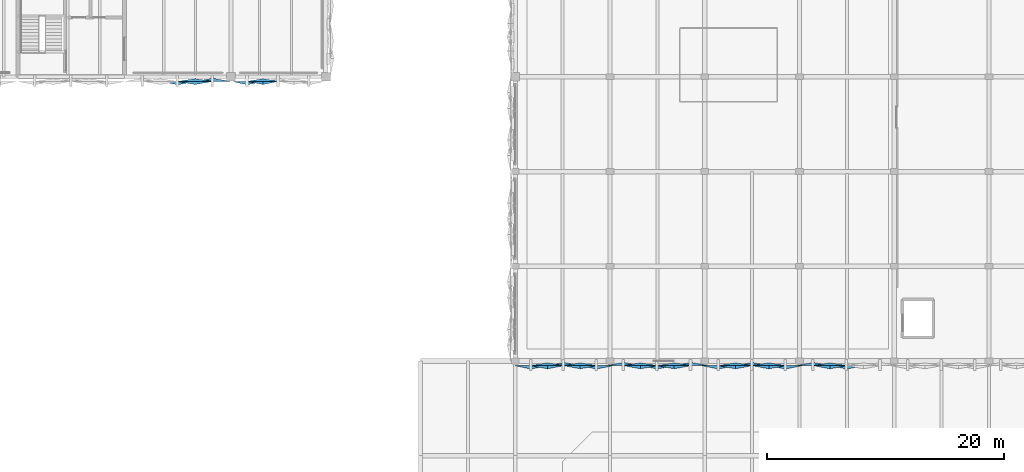
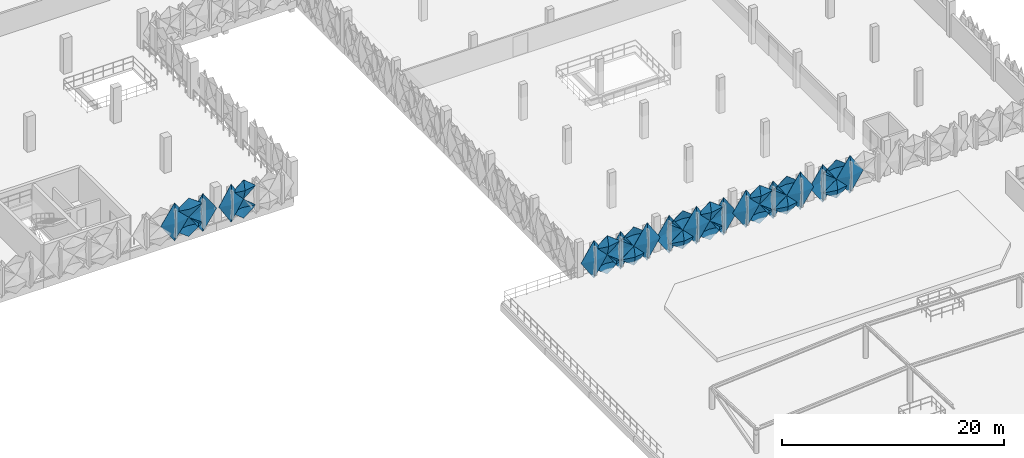
# One storey, part 56 of 76: 32 plates.
"""IFC4 building model written with IfcOpenShell, lengths in metres."""

from ifc_helpers import new_model, si_unit, derived_unit, direction, frame, origin, place, context, subcontext, project, spatial, polygons, material, layer, layer_set, type_object, element, save


model = new_model("IFC4")

# Units and contexts
model_context = context("Model", 3, precision=1e-05, world=origin(), true_north=direction((0.0, 1.0)))
body_context = subcontext(model_context, "Body", "Model", "MODEL_VIEW")
ifc_project = project(units=[si_unit("LENGTHUNIT", "METRE"), si_unit("AREAUNIT", "SQUARE_METRE"), si_unit("VOLUMEUNIT", "CUBIC_METRE"), si_unit("PLANEANGLEUNIT", "RADIAN"), si_unit("MASSUNIT", "GRAM", prefix="KILO"), si_unit("THERMODYNAMICTEMPERATUREUNIT", "KELVIN"), derived_unit("THERMALTRANSMITTANCEUNIT", [(si_unit("POWERUNIT", "WATT"), 1), (si_unit("AREAUNIT", "SQUARE_METRE"), -1), (si_unit("THERMODYNAMICTEMPERATUREUNIT", "KELVIN"), -1)])], contexts=[model_context])

# Site, building, storey
site_placement = place(None, origin())
site = spatial("IfcSite", under=ifc_project, at=site_placement, CompositionType="ELEMENT")
building_placement = place(site_placement, origin())
building = spatial("IfcBuilding", under=site, at=building_placement, Name="Haiyu Intermodal Mobility Hub", CompositionType="ELEMENT")
storey_placement = place(building_placement, frame((0.0, 0.0, 17.300048828125)))
storey = spatial("IfcBuildingStorey", under=building, at=storey_placement, Name="L04", CompositionType="ELEMENT", Elevation=17.300048828125)

# Plates
ifc_material = material(Name="Anodised aluminium 6063-T6", Category="aluminium")
ifc_layer_1 = layer(ifc_material, 0.01806640625)
ifc_layer_set_1 = layer_set([ifc_layer_1], Name="Anodised aluminium 6063-T6")
plate_type_1 = type_object("IfcPlateType", Name="PLT-FC01", PredefinedType="USERDEFINED", material=ifc_layer_set_1)
plate_1_placement = place(storey_placement, origin())
element("IfcPlate", 1, at=plate_1_placement, inside=storey, type_object=plate_type_1, Name="PLT-PYR-1001", ObjectType="FACADE CASSETTE", PredefinedType="USERDEFINED", context=body_context, shape_type="Tessellation", body=[
    polygons([(139.386962890625, 103.60009765625, -0.510009765625), (140.673095703125, 103.60009765625, 1.599853515625), (139.386962890625, 103.60009765625, 3.7099609375), (138.10009765625, 103.60009765625, 1.599853515625), (139.386962890625, 103.320068359375, 1.599853515625), (139.386962890625, 103.6220703125, -0.510009765625), (140.673095703125, 103.6220703125, 1.599853515625), (139.386962890625, 103.6220703125, 3.7099609375), (138.10009765625, 103.6220703125, 1.599853515625), (139.386962890625, 103.342041015625, 1.599853515625)], [[[1, 2, 5]], [[2, 3, 5]], [[3, 4, 5]], [[4, 1, 5]], [[7, 6, 10]], [[8, 7, 10]], [[9, 8, 10]], [[6, 9, 10]], [[1, 6, 7, 2]], [[2, 7, 8, 3]], [[3, 8, 9, 4]], [[4, 9, 6, 1]]], closed=True),
])
plate_2_placement = place(storey_placement, origin())
element("IfcPlate", 2, at=plate_2_placement, inside=storey, type_object=plate_type_1, Name="PLT-PYR-1866", ObjectType="FACADE CASSETTE", PredefinedType="USERDEFINED", context=body_context, shape_type="Tessellation", body=[
    polygons([(163.3330078125, 79.60009765625, -0.510009765625), (164.697021484375, 79.60009765625, 1.599853515625), (163.3330078125, 79.60009765625, 3.7099609375), (161.969970703125, 79.60009765625, 1.599853515625), (163.3330078125, 79.320068359375, 1.599853515625), (163.3330078125, 79.6220703125, -0.510009765625), (164.697021484375, 79.6220703125, 1.599853515625), (163.3330078125, 79.6220703125, 3.7099609375), (161.969970703125, 79.6220703125, 1.599853515625), (163.3330078125, 79.342041015625, 1.599853515625)], [[[1, 2, 5]], [[2, 3, 5]], [[3, 4, 5]], [[4, 1, 5]], [[7, 6, 10]], [[8, 7, 10]], [[9, 8, 10]], [[6, 9, 10]], [[1, 6, 7, 2]], [[2, 7, 8, 3]], [[3, 8, 9, 4]], [[4, 9, 6, 1]]], closed=True),
])
plate_3_placement = place(storey_placement, origin())
element("IfcPlate", 3, at=plate_3_placement, inside=storey, type_object=plate_type_1, Name="PLT-PYR-1870", ObjectType="FACADE CASSETTE", PredefinedType="USERDEFINED", context=body_context, shape_type="Tessellation", body=[
    polygons([(167.48291015625, 79.60009765625, -0.52001953125), (168.846923828125, 79.60009765625, 0.530029296875), (167.48291015625, 79.60009765625, 1.579833984375), (166.1201171875, 79.60009765625, 0.530029296875), (167.48291015625, 79.340087890625, 0.530029296875), (167.48291015625, 79.6220703125, -0.52001953125), (168.846923828125, 79.6220703125, 0.530029296875), (167.48291015625, 79.6220703125, 1.579833984375), (166.1201171875, 79.6220703125, 0.530029296875), (167.48291015625, 79.362060546875, 0.530029296875)], [[[1, 2, 5]], [[2, 3, 5]], [[3, 4, 5]], [[4, 1, 5]], [[7, 6, 10]], [[8, 7, 10]], [[9, 8, 10]], [[6, 9, 10]], [[1, 6, 7, 2]], [[2, 7, 8, 3]], [[3, 8, 9, 4]], [[4, 9, 6, 1]]], closed=True),
])
plate_4_placement = place(storey_placement, origin())
element("IfcPlate", 4, at=plate_4_placement, inside=storey, type_object=plate_type_1, Name="PLT-PYR-1874", ObjectType="FACADE CASSETTE", PredefinedType="USERDEFINED", context=body_context, shape_type="Tessellation", body=[
    polygons([(172.5830078125, 79.60009765625, -0.52001953125), (173.97998046875, 79.60009765625, 0.530029296875), (172.5830078125, 79.60009765625, 1.579833984375), (171.18701171875, 79.60009765625, 0.530029296875), (172.5830078125, 79.340087890625, 0.530029296875), (172.5830078125, 79.6220703125, -0.52001953125), (173.97998046875, 79.6220703125, 0.530029296875), (172.5830078125, 79.6220703125, 1.579833984375), (171.18701171875, 79.6220703125, 0.530029296875), (172.5830078125, 79.362060546875, 0.530029296875)], [[[1, 2, 5]], [[2, 3, 5]], [[3, 4, 5]], [[4, 1, 5]], [[7, 6, 10]], [[8, 7, 10]], [[9, 8, 10]], [[6, 9, 10]], [[1, 6, 7, 2]], [[2, 7, 8, 3]], [[3, 8, 9, 4]], [[4, 9, 6, 1]]], closed=True),
])
plate_5_placement = place(storey_placement, origin())
element("IfcPlate", 5, at=plate_5_placement, inside=storey, type_object=plate_type_1, Name="PLT-PYR-1880", ObjectType="FACADE CASSETTE", PredefinedType="USERDEFINED", context=body_context, shape_type="Tessellation", body=[
    polygons([(179.1669921875, 79.60009765625, -0.510009765625), (180.56298828125, 79.60009765625, 1.599853515625), (179.1669921875, 79.60009765625, 3.7099609375), (177.77001953125, 79.60009765625, 1.599853515625), (179.1669921875, 79.320068359375, 1.599853515625), (179.1669921875, 79.6220703125, -0.510009765625), (180.56298828125, 79.6220703125, 1.599853515625), (179.1669921875, 79.6220703125, 3.7099609375), (177.77001953125, 79.6220703125, 1.599853515625), (179.1669921875, 79.342041015625, 1.599853515625)], [[[1, 2, 5]], [[2, 3, 5]], [[3, 4, 5]], [[4, 1, 5]], [[7, 6, 10]], [[8, 7, 10]], [[9, 8, 10]], [[6, 9, 10]], [[1, 6, 7, 2]], [[2, 7, 8, 3]], [[3, 8, 9, 4]], [[4, 9, 6, 1]]], closed=True),
])
plate_6_placement = place(storey_placement, origin())
element("IfcPlate", 6, at=plate_6_placement, inside=storey, type_object=plate_type_1, Name="PLT-PYR-1884", ObjectType="FACADE CASSETTE", PredefinedType="USERDEFINED", context=body_context, shape_type="Tessellation", body=[
    polygons([(183.4169921875, 79.60009765625, -0.52001953125), (184.81298828125, 79.60009765625, 0.530029296875), (183.4169921875, 79.60009765625, 1.579833984375), (182.02001953125, 79.60009765625, 0.530029296875), (183.4169921875, 79.340087890625, 0.530029296875), (183.4169921875, 79.6220703125, -0.52001953125), (184.81298828125, 79.6220703125, 0.530029296875), (183.4169921875, 79.6220703125, 1.579833984375), (182.02001953125, 79.6220703125, 0.530029296875), (183.4169921875, 79.362060546875, 0.530029296875)], [[[1, 2, 5]], [[2, 3, 5]], [[3, 4, 5]], [[4, 1, 5]], [[7, 6, 10]], [[8, 7, 10]], [[9, 8, 10]], [[6, 9, 10]], [[1, 6, 7, 2]], [[2, 7, 8, 3]], [[3, 8, 9, 4]], [[4, 9, 6, 1]]], closed=True),
])
plate_7_placement = place(storey_placement, origin())
element("IfcPlate", 7, at=plate_7_placement, inside=storey, type_object=plate_type_1, Name="PLT-PYR-1888", ObjectType="FACADE CASSETTE", PredefinedType="USERDEFINED", context=body_context, shape_type="Tessellation", body=[
    polygons([(188.5830078125, 79.60009765625, -0.52001953125), (189.97998046875, 79.60009765625, 0.530029296875), (188.5830078125, 79.60009765625, 1.579833984375), (187.18701171875, 79.60009765625, 0.530029296875), (188.5830078125, 79.340087890625, 0.530029296875), (188.5830078125, 79.6220703125, -0.52001953125), (189.97998046875, 79.6220703125, 0.530029296875), (188.5830078125, 79.6220703125, 1.579833984375), (187.18701171875, 79.6220703125, 0.530029296875), (188.5830078125, 79.362060546875, 0.530029296875)], [[[1, 2, 5]], [[2, 3, 5]], [[3, 4, 5]], [[4, 1, 5]], [[7, 6, 10]], [[8, 7, 10]], [[9, 8, 10]], [[6, 9, 10]], [[1, 6, 7, 2]], [[2, 7, 8, 3]], [[3, 8, 9, 4]], [[4, 9, 6, 1]]], closed=True),
])
ifc_layer_2 = layer(ifc_material, 0.02001953125)
ifc_layer_set_2 = layer_set([ifc_layer_2], Name="Anodised aluminium 6063-T6")
plate_type_2 = type_object("IfcPlateType", Name="PLT-FC02", PredefinedType="USERDEFINED", material=ifc_layer_set_2)
plate_8_placement = place(storey_placement, origin())
element("IfcPlate", 8, at=plate_8_placement, inside=storey, type_object=plate_type_2, Name="PLT-PYR-0970", ObjectType="FACADE CASSETTE", PredefinedType="USERDEFINED", context=body_context, shape_type="Tessellation", body=[
    polygons([(134.972900390625, 103.60009765625, -0.52001953125), (136.427001953125, 103.60009765625, 0.530029296875), (134.972900390625, 103.60009765625, 1.579833984375), (133.52001953125, 103.60009765625, 0.530029296875), (134.972900390625, 103.820068359375, 0.530029296875), (134.972900390625, 103.6220703125, -0.52001953125), (136.427001953125, 103.6220703125, 0.530029296875), (134.972900390625, 103.6220703125, 1.579833984375), (133.52001953125, 103.6220703125, 0.530029296875), (134.972900390625, 103.842041015625, 0.530029296875)], [[[1, 2, 5]], [[2, 3, 5]], [[3, 4, 5]], [[4, 1, 5]], [[7, 6, 10]], [[8, 7, 10]], [[9, 8, 10]], [[6, 9, 10]], [[1, 6, 7, 2]], [[2, 7, 8, 3]], [[3, 8, 9, 4]], [[4, 9, 6, 1]]], closed=True),
])
plate_9_placement = place(storey_placement, origin())
element("IfcPlate", 9, at=plate_9_placement, inside=storey, type_object=plate_type_2, Name="PLT-PYR-1002", ObjectType="FACADE CASSETTE", PredefinedType="USERDEFINED", context=body_context, shape_type="Tessellation", body=[
    polygons([(140.693115234375, 103.60009765625, -0.52001953125), (141.97998046875, 103.60009765625, 0.530029296875), (140.693115234375, 103.60009765625, 1.579833984375), (139.406982421875, 103.60009765625, 0.530029296875), (140.693115234375, 103.820068359375, 0.530029296875), (140.693115234375, 103.6220703125, -0.52001953125), (141.97998046875, 103.6220703125, 0.530029296875), (140.693115234375, 103.6220703125, 1.579833984375), (139.406982421875, 103.6220703125, 0.530029296875), (140.693115234375, 103.842041015625, 0.530029296875)], [[[1, 2, 5]], [[2, 3, 5]], [[3, 4, 5]], [[4, 1, 5]], [[7, 6, 10]], [[8, 7, 10]], [[9, 8, 10]], [[6, 9, 10]], [[1, 6, 7, 2]], [[2, 7, 8, 3]], [[3, 8, 9, 4]], [[4, 9, 6, 1]]], closed=True),
])
plate_10_placement = place(storey_placement, origin())
element("IfcPlate", 10, at=plate_10_placement, inside=storey, type_object=plate_type_2, Name="PLT-PYR-1867", ObjectType="FACADE CASSETTE", PredefinedType="USERDEFINED", context=body_context, shape_type="Tessellation", body=[
    polygons([(164.717041015625, 79.60009765625, -0.52001953125), (166.080078125, 79.60009765625, 0.530029296875), (164.717041015625, 79.60009765625, 1.579833984375), (163.35302734375, 79.60009765625, 0.530029296875), (164.717041015625, 79.820068359375, 0.530029296875), (164.717041015625, 79.6220703125, -0.52001953125), (166.080078125, 79.6220703125, 0.530029296875), (164.717041015625, 79.6220703125, 1.579833984375), (163.35302734375, 79.6220703125, 0.530029296875), (164.717041015625, 79.842041015625, 0.530029296875)], [[[1, 2, 5]], [[2, 3, 5]], [[3, 4, 5]], [[4, 1, 5]], [[7, 6, 10]], [[8, 7, 10]], [[9, 8, 10]], [[6, 9, 10]], [[1, 6, 7, 2]], [[2, 7, 8, 3]], [[3, 8, 9, 4]], [[4, 9, 6, 1]]], closed=True),
])
plate_11_placement = place(storey_placement, origin())
element("IfcPlate", 11, at=plate_11_placement, inside=storey, type_object=plate_type_2, Name="PLT-PYR-1873", ObjectType="FACADE CASSETTE", PredefinedType="USERDEFINED", context=body_context, shape_type="Tessellation", body=[
    polygons([(171.1669921875, 79.60009765625, -0.510009765625), (172.56298828125, 79.60009765625, 1.599853515625), (171.1669921875, 79.60009765625, 3.7099609375), (169.77001953125, 79.60009765625, 1.599853515625), (171.1669921875, 79.860107421875, 1.599853515625), (171.1669921875, 79.6220703125, -0.510009765625), (172.56298828125, 79.6220703125, 1.599853515625), (171.1669921875, 79.6220703125, 3.7099609375), (169.77001953125, 79.6220703125, 1.599853515625), (171.1669921875, 79.882080078125, 1.599853515625)], [[[1, 2, 5]], [[2, 3, 5]], [[3, 4, 5]], [[4, 1, 5]], [[7, 6, 10]], [[8, 7, 10]], [[9, 8, 10]], [[6, 9, 10]], [[1, 6, 7, 2]], [[2, 7, 8, 3]], [[3, 8, 9, 4]], [[4, 9, 6, 1]]], closed=True),
])
plate_12_placement = place(storey_placement, origin())
element("IfcPlate", 12, at=plate_12_placement, inside=storey, type_object=plate_type_2, Name="PLT-PYR-1877", ObjectType="FACADE CASSETTE", PredefinedType="USERDEFINED", context=body_context, shape_type="Tessellation", body=[
    polygons([(175.4169921875, 79.60009765625, -0.52001953125), (176.81298828125, 79.60009765625, 0.530029296875), (175.4169921875, 79.60009765625, 1.579833984375), (174.02001953125, 79.60009765625, 0.530029296875), (175.4169921875, 79.820068359375, 0.530029296875), (175.4169921875, 79.6220703125, -0.52001953125), (176.81298828125, 79.6220703125, 0.530029296875), (175.4169921875, 79.6220703125, 1.579833984375), (174.02001953125, 79.6220703125, 0.530029296875), (175.4169921875, 79.842041015625, 0.530029296875)], [[[1, 2, 5]], [[2, 3, 5]], [[3, 4, 5]], [[4, 1, 5]], [[7, 6, 10]], [[8, 7, 10]], [[9, 8, 10]], [[6, 9, 10]], [[1, 6, 7, 2]], [[2, 7, 8, 3]], [[3, 8, 9, 4]], [[4, 9, 6, 1]]], closed=True),
])
plate_13_placement = place(storey_placement, origin())
element("IfcPlate", 13, at=plate_13_placement, inside=storey, type_object=plate_type_2, Name="PLT-PYR-1881", ObjectType="FACADE CASSETTE", PredefinedType="USERDEFINED", context=body_context, shape_type="Tessellation", body=[
    polygons([(180.5830078125, 79.60009765625, -0.52001953125), (181.97998046875, 79.60009765625, 0.530029296875), (180.5830078125, 79.60009765625, 1.579833984375), (179.18701171875, 79.60009765625, 0.530029296875), (180.5830078125, 79.820068359375, 0.530029296875), (180.5830078125, 79.6220703125, -0.52001953125), (181.97998046875, 79.6220703125, 0.530029296875), (180.5830078125, 79.6220703125, 1.579833984375), (179.18701171875, 79.6220703125, 0.530029296875), (180.5830078125, 79.842041015625, 0.530029296875)], [[[1, 2, 5]], [[2, 3, 5]], [[3, 4, 5]], [[4, 1, 5]], [[7, 6, 10]], [[8, 7, 10]], [[9, 8, 10]], [[6, 9, 10]], [[1, 6, 7, 2]], [[2, 7, 8, 3]], [[3, 8, 9, 4]], [[4, 9, 6, 1]]], closed=True),
])
plate_14_placement = place(storey_placement, origin())
element("IfcPlate", 14, at=plate_14_placement, inside=storey, type_object=plate_type_2, Name="PLT-PYR-1887", ObjectType="FACADE CASSETTE", PredefinedType="USERDEFINED", context=body_context, shape_type="Tessellation", body=[
    polygons([(187.1669921875, 79.60009765625, -0.510009765625), (188.56298828125, 79.60009765625, 1.599853515625), (187.1669921875, 79.60009765625, 3.7099609375), (185.77001953125, 79.60009765625, 1.599853515625), (187.1669921875, 79.860107421875, 1.599853515625), (187.1669921875, 79.6220703125, -0.510009765625), (188.56298828125, 79.6220703125, 1.599853515625), (187.1669921875, 79.6220703125, 3.7099609375), (185.77001953125, 79.6220703125, 1.599853515625), (187.1669921875, 79.882080078125, 1.599853515625)], [[[1, 2, 5]], [[2, 3, 5]], [[3, 4, 5]], [[4, 1, 5]], [[7, 6, 10]], [[8, 7, 10]], [[9, 8, 10]], [[6, 9, 10]], [[1, 6, 7, 2]], [[2, 7, 8, 3]], [[3, 8, 9, 4]], [[4, 9, 6, 1]]], closed=True),
])
ifc_layer_3 = layer(ifc_material, 0.01806640625)
ifc_layer_set_3 = layer_set([ifc_layer_3], Name="Anodised aluminium 6063-T6")
plate_type_3 = type_object("IfcPlateType", Name="PLT-FC03", PredefinedType="USERDEFINED", material=ifc_layer_set_3)
plate_15_placement = place(storey_placement, origin())
element("IfcPlate", 15, at=plate_15_placement, inside=storey, type_object=plate_type_3, Name="PLT-PYR-0969", ObjectType="FACADE CASSETTE", PredefinedType="USERDEFINED", context=body_context, shape_type="Tessellation", body=[
    polygons([(133.5, 103.60009765625, -0.510009765625), (134.952880859375, 103.60009765625, 1.599853515625), (133.5, 103.60009765625, 3.7099609375), (132.047119140625, 103.60009765625, 1.599853515625), (133.5, 103.320068359375, 1.599853515625), (133.5, 103.6220703125, -0.510009765625), (134.952880859375, 103.6220703125, 1.599853515625), (133.5, 103.6220703125, 3.7099609375), (132.047119140625, 103.6220703125, 1.599853515625), (133.5, 103.342041015625, 1.599853515625)], [[[1, 2, 5]], [[2, 3, 5]], [[3, 4, 5]], [[4, 1, 5]], [[7, 6, 10]], [[8, 7, 10]], [[9, 8, 10]], [[6, 9, 10]], [[1, 6, 7, 2]], [[2, 7, 8, 3]], [[3, 8, 9, 4]], [[4, 9, 6, 1]]], closed=True),
])
plate_16_placement = place(storey_placement, origin())
element("IfcPlate", 16, at=plate_16_placement, inside=storey, type_object=plate_type_3, Name="PLT-PYR-0971", ObjectType="FACADE CASSETTE", PredefinedType="USERDEFINED", context=body_context, shape_type="Tessellation", body=[
    polygons([(134.972900390625, 103.60009765625, 1.619873046875), (136.427001953125, 103.60009765625, 2.669921875), (134.972900390625, 103.60009765625, 3.719970703125), (133.52001953125, 103.60009765625, 2.669921875), (134.972900390625, 103.340087890625, 2.669921875), (134.972900390625, 103.6220703125, 1.619873046875), (136.427001953125, 103.6220703125, 2.669921875), (134.972900390625, 103.6220703125, 3.719970703125), (133.52001953125, 103.6220703125, 2.669921875), (134.972900390625, 103.362060546875, 2.669921875)], [[[1, 2, 5]], [[2, 3, 5]], [[3, 4, 5]], [[4, 1, 5]], [[7, 6, 10]], [[8, 7, 10]], [[9, 8, 10]], [[6, 9, 10]], [[1, 6, 7, 2]], [[2, 7, 8, 3]], [[3, 8, 9, 4]], [[4, 9, 6, 1]]], closed=True),
])
plate_17_placement = place(storey_placement, origin())
element("IfcPlate", 17, at=plate_17_placement, inside=storey, type_object=plate_type_3, Name="PLT-PYR-1003", ObjectType="FACADE CASSETTE", PredefinedType="USERDEFINED", context=body_context, shape_type="Tessellation", body=[
    polygons([(140.693115234375, 103.60009765625, 1.619873046875), (141.97998046875, 103.60009765625, 2.669921875), (140.693115234375, 103.60009765625, 3.719970703125), (139.406982421875, 103.60009765625, 2.669921875), (140.693115234375, 103.340087890625, 2.669921875), (140.693115234375, 103.6220703125, 1.619873046875), (141.97998046875, 103.6220703125, 2.669921875), (140.693115234375, 103.6220703125, 3.719970703125), (139.406982421875, 103.6220703125, 2.669921875), (140.693115234375, 103.362060546875, 2.669921875)], [[[1, 2, 5]], [[2, 3, 5]], [[3, 4, 5]], [[4, 1, 5]], [[7, 6, 10]], [[8, 7, 10]], [[9, 8, 10]], [[6, 9, 10]], [[1, 6, 7, 2]], [[2, 7, 8, 3]], [[3, 8, 9, 4]], [[4, 9, 6, 1]]], closed=True),
])
plate_18_placement = place(storey_placement, origin())
element("IfcPlate", 18, at=plate_18_placement, inside=storey, type_object=plate_type_3, Name="PLT-PYR-1868", ObjectType="FACADE CASSETTE", PredefinedType="USERDEFINED", context=body_context, shape_type="Tessellation", body=[
    polygons([(164.717041015625, 79.60009765625, 1.619873046875), (166.080078125, 79.60009765625, 2.669921875), (164.717041015625, 79.60009765625, 3.719970703125), (163.35302734375, 79.60009765625, 2.669921875), (164.717041015625, 79.340087890625, 2.669921875), (164.717041015625, 79.6220703125, 1.619873046875), (166.080078125, 79.6220703125, 2.669921875), (164.717041015625, 79.6220703125, 3.719970703125), (163.35302734375, 79.6220703125, 2.669921875), (164.717041015625, 79.362060546875, 2.669921875)], [[[1, 2, 5]], [[2, 3, 5]], [[3, 4, 5]], [[4, 1, 5]], [[7, 6, 10]], [[8, 7, 10]], [[9, 8, 10]], [[6, 9, 10]], [[1, 6, 7, 2]], [[2, 7, 8, 3]], [[3, 8, 9, 4]], [[4, 9, 6, 1]]], closed=True),
])
plate_19_placement = place(storey_placement, origin())
element("IfcPlate", 19, at=plate_19_placement, inside=storey, type_object=plate_type_3, Name="PLT-PYR-1876", ObjectType="FACADE CASSETTE", PredefinedType="USERDEFINED", context=body_context, shape_type="Tessellation", body=[
    polygons([(174.0, 79.60009765625, -0.510009765625), (175.39697265625, 79.60009765625, 1.599853515625), (174.0, 79.60009765625, 3.7099609375), (172.60302734375, 79.60009765625, 1.599853515625), (174.0, 79.320068359375, 1.599853515625), (174.0, 79.6220703125, -0.510009765625), (175.39697265625, 79.6220703125, 1.599853515625), (174.0, 79.6220703125, 3.7099609375), (172.60302734375, 79.6220703125, 1.599853515625), (174.0, 79.342041015625, 1.599853515625)], [[[1, 2, 5]], [[2, 3, 5]], [[3, 4, 5]], [[4, 1, 5]], [[7, 6, 10]], [[8, 7, 10]], [[9, 8, 10]], [[6, 9, 10]], [[1, 6, 7, 2]], [[2, 7, 8, 3]], [[3, 8, 9, 4]], [[4, 9, 6, 1]]], closed=True),
])
plate_20_placement = place(storey_placement, origin())
element("IfcPlate", 20, at=plate_20_placement, inside=storey, type_object=plate_type_3, Name="PLT-PYR-1878", ObjectType="FACADE CASSETTE", PredefinedType="USERDEFINED", context=body_context, shape_type="Tessellation", body=[
    polygons([(175.4169921875, 79.60009765625, 1.619873046875), (176.81298828125, 79.60009765625, 2.669921875), (175.4169921875, 79.60009765625, 3.719970703125), (174.02001953125, 79.60009765625, 2.669921875), (175.4169921875, 79.340087890625, 2.669921875), (175.4169921875, 79.6220703125, 1.619873046875), (176.81298828125, 79.6220703125, 2.669921875), (175.4169921875, 79.6220703125, 3.719970703125), (174.02001953125, 79.6220703125, 2.669921875), (175.4169921875, 79.362060546875, 2.669921875)], [[[1, 2, 5]], [[2, 3, 5]], [[3, 4, 5]], [[4, 1, 5]], [[7, 6, 10]], [[8, 7, 10]], [[9, 8, 10]], [[6, 9, 10]], [[1, 6, 7, 2]], [[2, 7, 8, 3]], [[3, 8, 9, 4]], [[4, 9, 6, 1]]], closed=True),
])
plate_21_placement = place(storey_placement, origin())
element("IfcPlate", 21, at=plate_21_placement, inside=storey, type_object=plate_type_3, Name="PLT-PYR-1882", ObjectType="FACADE CASSETTE", PredefinedType="USERDEFINED", context=body_context, shape_type="Tessellation", body=[
    polygons([(180.5830078125, 79.60009765625, 1.619873046875), (181.97998046875, 79.60009765625, 2.669921875), (180.5830078125, 79.60009765625, 3.719970703125), (179.18701171875, 79.60009765625, 2.669921875), (180.5830078125, 79.340087890625, 2.669921875), (180.5830078125, 79.6220703125, 1.619873046875), (181.97998046875, 79.6220703125, 2.669921875), (180.5830078125, 79.6220703125, 3.719970703125), (179.18701171875, 79.6220703125, 2.669921875), (180.5830078125, 79.362060546875, 2.669921875)], [[[1, 2, 5]], [[2, 3, 5]], [[3, 4, 5]], [[4, 1, 5]], [[7, 6, 10]], [[8, 7, 10]], [[9, 8, 10]], [[6, 9, 10]], [[1, 6, 7, 2]], [[2, 7, 8, 3]], [[3, 8, 9, 4]], [[4, 9, 6, 1]]], closed=True),
])
plate_22_placement = place(storey_placement, origin())
element("IfcPlate", 22, at=plate_22_placement, inside=storey, type_object=plate_type_3, Name="PLT-PYR-1890", ObjectType="FACADE CASSETTE", PredefinedType="USERDEFINED", context=body_context, shape_type="Tessellation", body=[
    polygons([(190.0, 79.60009765625, -0.510009765625), (191.39697265625, 79.60009765625, 1.599853515625), (190.0, 79.60009765625, 3.7099609375), (188.60302734375, 79.60009765625, 1.599853515625), (190.0, 79.320068359375, 1.599853515625), (190.0, 79.6220703125, -0.510009765625), (191.39697265625, 79.6220703125, 1.599853515625), (190.0, 79.6220703125, 3.7099609375), (188.60302734375, 79.6220703125, 1.599853515625), (190.0, 79.342041015625, 1.599853515625)], [[[1, 2, 5]], [[2, 3, 5]], [[3, 4, 5]], [[4, 1, 5]], [[7, 6, 10]], [[8, 7, 10]], [[9, 8, 10]], [[6, 9, 10]], [[1, 6, 7, 2]], [[2, 7, 8, 3]], [[3, 8, 9, 4]], [[4, 9, 6, 1]]], closed=True),
])
ifc_layer_4 = layer(ifc_material, 0.02001953125)
ifc_layer_set_4 = layer_set([ifc_layer_4], Name="Anodised aluminium 6063-T6")
plate_type_4 = type_object("IfcPlateType", Name="PLT-FC04", PredefinedType="USERDEFINED", material=ifc_layer_set_4)
plate_23_placement = place(storey_placement, origin())
element("IfcPlate", 23, at=plate_23_placement, inside=storey, type_object=plate_type_4, Name="PLT-PYR-1869", ObjectType="FACADE CASSETTE", PredefinedType="USERDEFINED", context=body_context, shape_type="Tessellation", body=[
    polygons([(166.10009765625, 79.60009765625, -0.510009765625), (167.462890625, 79.60009765625, 1.599853515625), (166.10009765625, 79.60009765625, 3.7099609375), (164.737060546875, 79.60009765625, 1.599853515625), (166.10009765625, 79.860107421875, 1.599853515625), (166.10009765625, 79.6220703125, -0.510009765625), (167.462890625, 79.6220703125, 1.599853515625), (166.10009765625, 79.6220703125, 3.7099609375), (164.737060546875, 79.6220703125, 1.599853515625), (166.10009765625, 79.882080078125, 1.599853515625)], [[[1, 2, 5]], [[2, 3, 5]], [[3, 4, 5]], [[4, 1, 5]], [[7, 6, 10]], [[8, 7, 10]], [[9, 8, 10]], [[6, 9, 10]], [[1, 6, 7, 2]], [[2, 7, 8, 3]], [[3, 8, 9, 4]], [[4, 9, 6, 1]]], closed=True),
])
plate_24_placement = place(storey_placement, origin())
element("IfcPlate", 24, at=plate_24_placement, inside=storey, type_object=plate_type_4, Name="PLT-PYR-1871", ObjectType="FACADE CASSETTE", PredefinedType="USERDEFINED", context=body_context, shape_type="Tessellation", body=[
    polygons([(167.48291015625, 79.60009765625, 1.619873046875), (168.846923828125, 79.60009765625, 2.669921875), (167.48291015625, 79.60009765625, 3.719970703125), (166.1201171875, 79.60009765625, 2.669921875), (167.48291015625, 79.820068359375, 2.669921875), (167.48291015625, 79.6220703125, 1.619873046875), (168.846923828125, 79.6220703125, 2.669921875), (167.48291015625, 79.6220703125, 3.719970703125), (166.1201171875, 79.6220703125, 2.669921875), (167.48291015625, 79.842041015625, 2.669921875)], [[[1, 2, 5]], [[2, 3, 5]], [[3, 4, 5]], [[4, 1, 5]], [[7, 6, 10]], [[8, 7, 10]], [[9, 8, 10]], [[6, 9, 10]], [[1, 6, 7, 2]], [[2, 7, 8, 3]], [[3, 8, 9, 4]], [[4, 9, 6, 1]]], closed=True),
])
plate_25_placement = place(storey_placement, origin())
element("IfcPlate", 25, at=plate_25_placement, inside=storey, type_object=plate_type_4, Name="PLT-PYR-1875", ObjectType="FACADE CASSETTE", PredefinedType="USERDEFINED", context=body_context, shape_type="Tessellation", body=[
    polygons([(172.5830078125, 79.60009765625, 1.619873046875), (173.97998046875, 79.60009765625, 2.669921875), (172.5830078125, 79.60009765625, 3.719970703125), (171.18701171875, 79.60009765625, 2.669921875), (172.5830078125, 79.820068359375, 2.669921875), (172.5830078125, 79.6220703125, 1.619873046875), (173.97998046875, 79.6220703125, 2.669921875), (172.5830078125, 79.6220703125, 3.719970703125), (171.18701171875, 79.6220703125, 2.669921875), (172.5830078125, 79.842041015625, 2.669921875)], [[[1, 2, 5]], [[2, 3, 5]], [[3, 4, 5]], [[4, 1, 5]], [[7, 6, 10]], [[8, 7, 10]], [[9, 8, 10]], [[6, 9, 10]], [[1, 6, 7, 2]], [[2, 7, 8, 3]], [[3, 8, 9, 4]], [[4, 9, 6, 1]]], closed=True),
])
plate_26_placement = place(storey_placement, origin())
element("IfcPlate", 26, at=plate_26_placement, inside=storey, type_object=plate_type_4, Name="PLT-PYR-1883", ObjectType="FACADE CASSETTE", PredefinedType="USERDEFINED", context=body_context, shape_type="Tessellation", body=[
    polygons([(182.0, 79.60009765625, -0.510009765625), (183.39697265625, 79.60009765625, 1.599853515625), (182.0, 79.60009765625, 3.7099609375), (180.60302734375, 79.60009765625, 1.599853515625), (182.0, 79.860107421875, 1.599853515625), (182.0, 79.6220703125, -0.510009765625), (183.39697265625, 79.6220703125, 1.599853515625), (182.0, 79.6220703125, 3.7099609375), (180.60302734375, 79.6220703125, 1.599853515625), (182.0, 79.882080078125, 1.599853515625)], [[[1, 2, 5]], [[2, 3, 5]], [[3, 4, 5]], [[4, 1, 5]], [[7, 6, 10]], [[8, 7, 10]], [[9, 8, 10]], [[6, 9, 10]], [[1, 6, 7, 2]], [[2, 7, 8, 3]], [[3, 8, 9, 4]], [[4, 9, 6, 1]]], closed=True),
])
plate_27_placement = place(storey_placement, origin())
element("IfcPlate", 27, at=plate_27_placement, inside=storey, type_object=plate_type_4, Name="PLT-PYR-1885", ObjectType="FACADE CASSETTE", PredefinedType="USERDEFINED", context=body_context, shape_type="Tessellation", body=[
    polygons([(183.4169921875, 79.60009765625, 1.619873046875), (184.81298828125, 79.60009765625, 2.669921875), (183.4169921875, 79.60009765625, 3.719970703125), (182.02001953125, 79.60009765625, 2.669921875), (183.4169921875, 79.820068359375, 2.669921875), (183.4169921875, 79.6220703125, 1.619873046875), (184.81298828125, 79.6220703125, 2.669921875), (183.4169921875, 79.6220703125, 3.719970703125), (182.02001953125, 79.6220703125, 2.669921875), (183.4169921875, 79.842041015625, 2.669921875)], [[[1, 2, 5]], [[2, 3, 5]], [[3, 4, 5]], [[4, 1, 5]], [[7, 6, 10]], [[8, 7, 10]], [[9, 8, 10]], [[6, 9, 10]], [[1, 6, 7, 2]], [[2, 7, 8, 3]], [[3, 8, 9, 4]], [[4, 9, 6, 1]]], closed=True),
])
plate_28_placement = place(storey_placement, origin())
element("IfcPlate", 28, at=plate_28_placement, inside=storey, type_object=plate_type_4, Name="PLT-PYR-1889", ObjectType="FACADE CASSETTE", PredefinedType="USERDEFINED", context=body_context, shape_type="Tessellation", body=[
    polygons([(188.5830078125, 79.60009765625, 1.619873046875), (189.97998046875, 79.60009765625, 2.669921875), (188.5830078125, 79.60009765625, 3.719970703125), (187.18701171875, 79.60009765625, 2.669921875), (188.5830078125, 79.820068359375, 2.669921875), (188.5830078125, 79.6220703125, 1.619873046875), (189.97998046875, 79.6220703125, 2.669921875), (188.5830078125, 79.6220703125, 3.719970703125), (187.18701171875, 79.6220703125, 2.669921875), (188.5830078125, 79.842041015625, 2.669921875)], [[[1, 2, 5]], [[2, 3, 5]], [[3, 4, 5]], [[4, 1, 5]], [[7, 6, 10]], [[8, 7, 10]], [[9, 8, 10]], [[6, 9, 10]], [[1, 6, 7, 2]], [[2, 7, 8, 3]], [[3, 8, 9, 4]], [[4, 9, 6, 1]]], closed=True),
])
ifc_layer_5 = layer(ifc_material, 0.01806640625)
ifc_layer_set_5 = layer_set([ifc_layer_5], Name="Anodised aluminium 6063-T6")
plate_type_5 = type_object("IfcPlateType", Name="PLT-FC05", PredefinedType="USERDEFINED", material=ifc_layer_set_5)
plate_29_placement = place(storey_placement, origin())
element("IfcPlate", 29, at=plate_29_placement, inside=storey, type_object=plate_type_5, Name="PLT-PYR-1872", ObjectType="FACADE CASSETTE", PredefinedType="USERDEFINED", context=body_context, shape_type="Tessellation", body=[
    polygons([(168.866943359375, 79.60009765625, -0.510009765625), (170.22998046875, 79.60009765625, 1.599853515625), (168.866943359375, 79.60009765625, 3.7099609375), (167.5029296875, 79.60009765625, 1.599853515625), (168.866943359375, 79.320068359375, 1.599853515625), (168.866943359375, 79.6220703125, -0.510009765625), (170.22998046875, 79.6220703125, 1.599853515625), (168.866943359375, 79.6220703125, 3.7099609375), (167.5029296875, 79.6220703125, 1.599853515625), (168.866943359375, 79.342041015625, 1.599853515625)], [[[1, 2, 5]], [[2, 3, 5]], [[3, 4, 5]], [[4, 1, 5]], [[7, 6, 10]], [[8, 7, 10]], [[9, 8, 10]], [[6, 9, 10]], [[1, 6, 7, 2]], [[2, 7, 8, 3]], [[3, 8, 9, 4]], [[4, 9, 6, 1]]], closed=True),
])
plate_30_placement = place(storey_placement, origin())
element("IfcPlate", 30, at=plate_30_placement, inside=storey, type_object=plate_type_5, Name="PLT-PYR-1886", ObjectType="FACADE CASSETTE", PredefinedType="USERDEFINED", context=body_context, shape_type="Tessellation", body=[
    polygons([(184.8330078125, 79.60009765625, -0.510009765625), (186.22998046875, 79.60009765625, 1.599853515625), (184.8330078125, 79.60009765625, 3.7099609375), (183.43701171875, 79.60009765625, 1.599853515625), (184.8330078125, 79.320068359375, 1.599853515625), (184.8330078125, 79.6220703125, -0.510009765625), (186.22998046875, 79.6220703125, 1.599853515625), (184.8330078125, 79.6220703125, 3.7099609375), (183.43701171875, 79.6220703125, 1.599853515625), (184.8330078125, 79.342041015625, 1.599853515625)], [[[1, 2, 5]], [[2, 3, 5]], [[3, 4, 5]], [[4, 1, 5]], [[7, 6, 10]], [[8, 7, 10]], [[9, 8, 10]], [[6, 9, 10]], [[1, 6, 7, 2]], [[2, 7, 8, 3]], [[3, 8, 9, 4]], [[4, 9, 6, 1]]], closed=True),
])
ifc_layer_6 = layer(ifc_material, 0.02001953125)
ifc_layer_set_6 = layer_set([ifc_layer_6], Name="Anodised aluminium 6063-T6")
plate_type_6 = type_object("IfcPlateType", Name="PLT-FC06", PredefinedType="USERDEFINED", material=ifc_layer_set_6)
plate_31_placement = place(storey_placement, origin())
element("IfcPlate", 31, at=plate_31_placement, inside=storey, type_object=plate_type_6, Name="PLT-PYR-0972", ObjectType="FACADE CASSETTE", PredefinedType="USERDEFINED", context=body_context, shape_type="Tessellation", body=[
    polygons([(136.447021484375, 103.60009765625, -0.510009765625), (137.89990234375, 103.60009765625, 1.599853515625), (136.447021484375, 103.60009765625, 3.7099609375), (134.992919921875, 103.60009765625, 1.599853515625), (136.447021484375, 103.860107421875, 1.599853515625), (136.447021484375, 103.6220703125, -0.510009765625), (137.89990234375, 103.6220703125, 1.599853515625), (136.447021484375, 103.6220703125, 3.7099609375), (134.992919921875, 103.6220703125, 1.599853515625), (136.447021484375, 103.882080078125, 1.599853515625)], [[[1, 2, 5]], [[2, 3, 5]], [[3, 4, 5]], [[4, 1, 5]], [[7, 6, 10]], [[8, 7, 10]], [[9, 8, 10]], [[6, 9, 10]], [[1, 6, 7, 2]], [[2, 7, 8, 3]], [[3, 8, 9, 4]], [[4, 9, 6, 1]]], closed=True),
])
plate_32_placement = place(storey_placement, origin())
element("IfcPlate", 32, at=plate_32_placement, inside=storey, type_object=plate_type_6, Name="PLT-PYR-1879", ObjectType="FACADE CASSETTE", PredefinedType="USERDEFINED", context=body_context, shape_type="Tessellation", body=[
    polygons([(176.8330078125, 79.60009765625, -0.510009765625), (178.22998046875, 79.60009765625, 1.599853515625), (176.8330078125, 79.60009765625, 3.7099609375), (175.43701171875, 79.60009765625, 1.599853515625), (176.8330078125, 79.860107421875, 1.599853515625), (176.8330078125, 79.6220703125, -0.510009765625), (178.22998046875, 79.6220703125, 1.599853515625), (176.8330078125, 79.6220703125, 3.7099609375), (175.43701171875, 79.6220703125, 1.599853515625), (176.8330078125, 79.882080078125, 1.599853515625)], [[[1, 2, 5]], [[2, 3, 5]], [[3, 4, 5]], [[4, 1, 5]], [[7, 6, 10]], [[8, 7, 10]], [[9, 8, 10]], [[6, 9, 10]], [[1, 6, 7, 2]], [[2, 7, 8, 3]], [[3, 8, 9, 4]], [[4, 9, 6, 1]]], closed=True),
])

save(model, "model.ifc")
